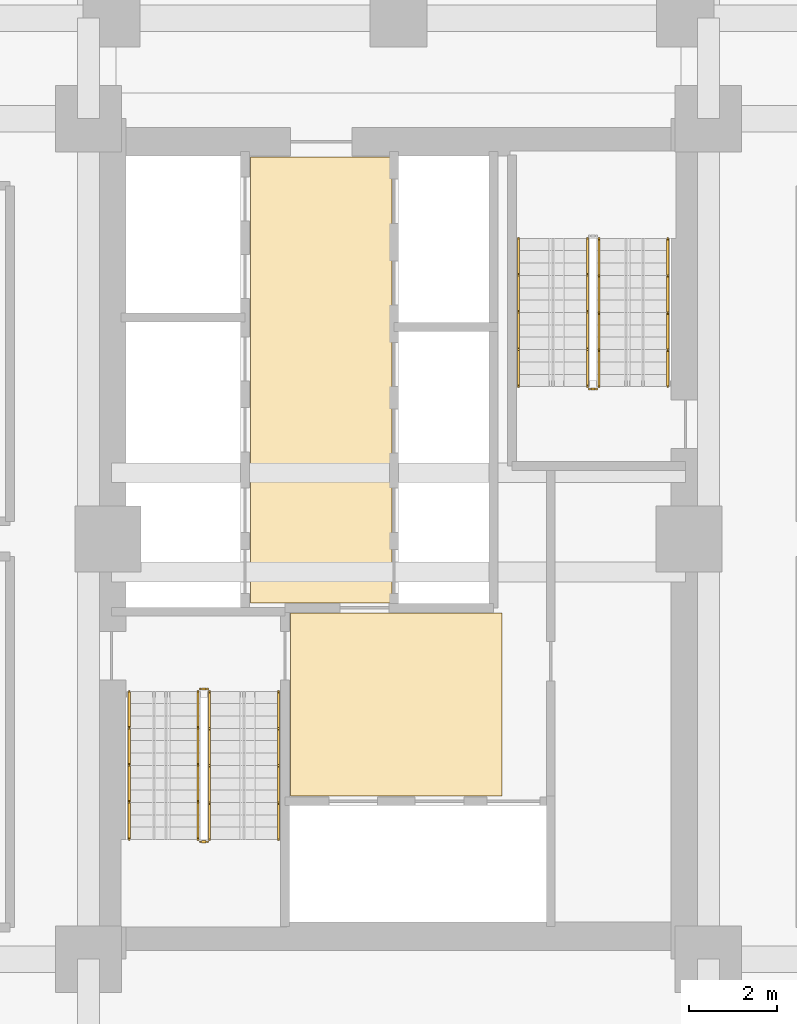
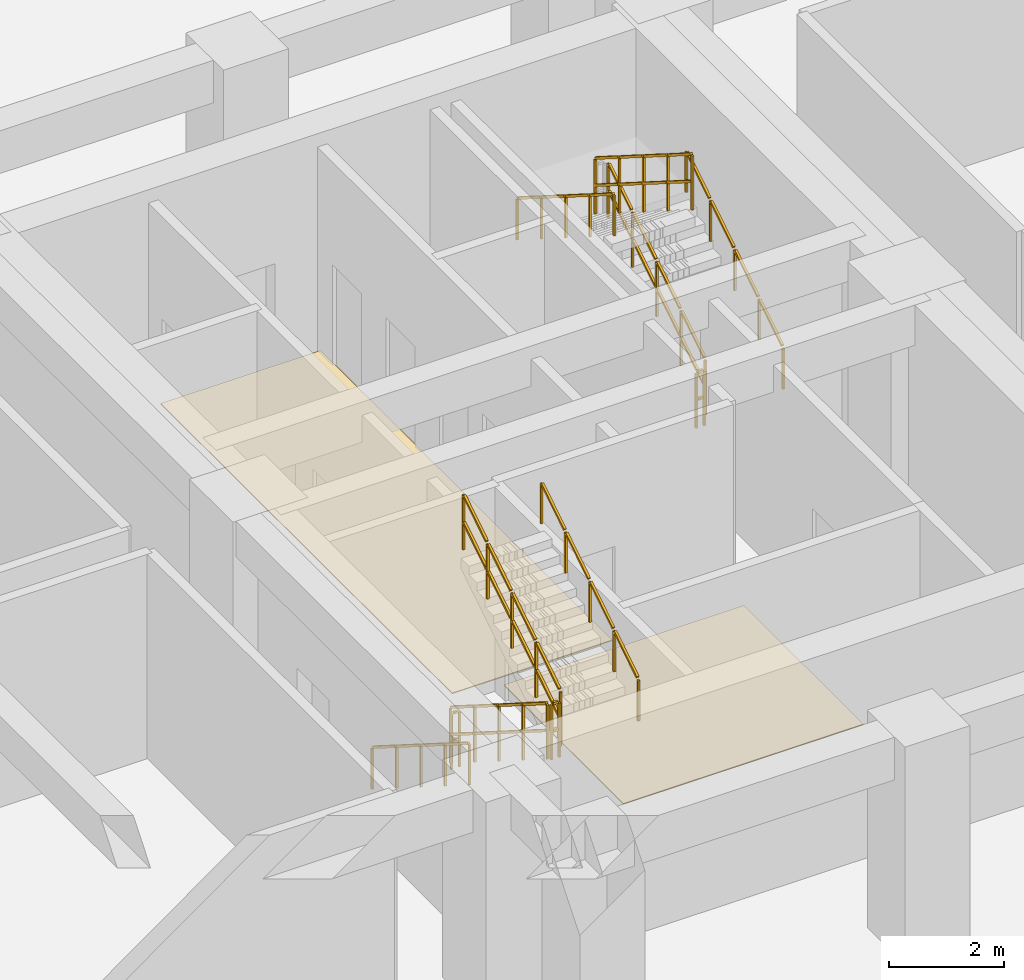
# One storey, part 9 of 12: 11 railings, 2 coverings.
"""IFC4 building model written with IfcOpenShell, lengths in metres."""

from ifc_helpers import new_model, si_unit, direction, frame, origin, origin_2d, place, context, subcontext, project, spatial, polyline, rectangle, outline, extrude, material, layer, layer_set, type_object, element, save


model = new_model("IFC4")

# Units and contexts
model_context = context("Model", 3, precision=1e-05, world=origin(), true_north=direction((0.0, 1.0)))
body_context = subcontext(model_context, "Body", "Model", "MODEL_VIEW")
ifc_project = project(units=[si_unit("LENGTHUNIT", "METRE"), si_unit("AREAUNIT", "SQUARE_METRE"), si_unit("VOLUMEUNIT", "CUBIC_METRE"), si_unit("PLANEANGLEUNIT", "RADIAN"), si_unit("MASSUNIT", "GRAM", prefix="KILO")], contexts=[model_context])

# Site, building, storey
site_placement = place(None, origin())
site = spatial("IfcSite", under=ifc_project, at=site_placement, CompositionType="ELEMENT")
building_placement = place(site_placement, origin())
building = spatial("IfcBuilding", under=site, at=building_placement, Name="Saelheon Loggia Tower", CompositionType="ELEMENT")
storey_placement = place(building_placement, frame((0.0, 0.0, -4.60009765625)))
storey = spatial("IfcBuildingStorey", under=building, at=storey_placement, Name="B1", CompositionType="ELEMENT", Elevation=-4.60009765625)

# Coverings
ifc_material_1 = material(Name="Vitrified Porcelain Floor Tile", Category="ceramic")
ifc_layer = layer(ifc_material_1, 0.02001953125)
ifc_layer_set = layer_set([ifc_layer], Name="Vitrified Porcelain Floor Tile")
covering_type = type_object("IfcCoveringType", Name="Cov_Floor_Porcelain", PredefinedType="FLOORING", material=ifc_layer_set)
covering_1_placement = place(storey_placement, origin())
element("IfcCovering", 1, at=covering_1_placement, inside=storey, type_object=covering_type, Name="B1 Corridor Porcelain Flooring", PredefinedType="FLOORING", context=body_context, shape_type="SweptSolid", body=[
    extrude(outline(polyline([(35.550048828125, 21.179931640625), (40.35009765625, 21.179931640625), (40.35009765625, 25.320068359375), (35.550048828125, 25.320068359375), (35.550048828125, 21.179931640625)])), origin(), (0.0, 0.0, 1.0), 0.02001953125),
])
covering_2_placement = place(storey_placement, origin())
element("IfcCovering", 2, at=covering_2_placement, inside=storey, type_object=covering_type, Name="B1 Corridor Porcelain Flooring", PredefinedType="FLOORING", context=body_context, shape_type="SweptSolid", body=[
    extrude(outline(polyline([(34.64990234375, 25.550048828125), (37.85009765625, 25.550048828125), (37.85009765625, 35.64990234375), (34.64990234375, 35.64990234375), (34.64990234375, 25.550048828125)])), origin(), (0.0, 0.0, 1.0), 0.02001953125),
])

# Railings
ifc_material_2 = material(Name="Galvanised Steel S275 Stairwell Guardrail", Category="steel")
railing_type_1 = type_object("IfcRailingType", Name="Guard_StairWell_RL_STG", PredefinedType="GUARDRAIL", material=ifc_material_2)
railing_1_placement = place(storey_placement, frame((33.4599609375, 23.550048828125, 0.177001953125)))
element("IfcRailing", 3, at=railing_1_placement, inside=storey, type_object=railing_type_1, Name="B1 ST1 stair guard 1", PredefinedType="GUARDRAIL", context=body_context, shape_type="SweptSolid", body=[
    extrude(rectangle(XDim=0.048095703125, YDim=0.048095703125, at=origin_2d()), frame((0.0, -0.028076171875, 1.193603515625), z_axis=(0.0, -0.845389635667, 0.534150132366), x_axis=(1.0, 0.0, 0.0)), (0.0, 0.0, 1.0), 0.92724609375),
    extrude(rectangle(XDim=0.048095703125, YDim=0.048095703125, at=origin_2d()), frame((0.0, -0.028076171875, 0.61767578125), z_axis=(0.0, -0.845389635667, 0.534150132366), x_axis=(1.0, 0.0, 0.0)), (0.0, 0.0, 1.0), 0.92724609375),
    extrude(rectangle(XDim=0.048095703125, YDim=0.048095703125, at=origin_2d()), frame((0.0, -0.8681640625, 1.724365234375), z_axis=(0.0, -0.845389635667, 0.534150132366), x_axis=(1.0, 0.0, 0.0)), (0.0, 0.0, 1.0), 0.92724609375),
    extrude(rectangle(XDim=0.048095703125, YDim=0.048095703125, at=origin_2d()), frame((0.0, -0.8681640625, 1.1484375), z_axis=(0.0, -0.845389635667, 0.534150132366), x_axis=(1.0, 0.0, 0.0)), (0.0, 0.0, 1.0), 0.92724609375),
    extrude(rectangle(XDim=0.048095703125, YDim=0.048095703125, at=origin_2d()), frame((0.0, -1.708251953125, 2.255126953125), z_axis=(0.0, -0.845389635667, 0.534150132366), x_axis=(1.0, 0.0, 0.0)), (0.0, 0.0, 1.0), 0.92724609375),
    extrude(rectangle(XDim=0.048095703125, YDim=0.048095703125, at=origin_2d()), frame((0.0, -1.708251953125, 1.67919921875), z_axis=(0.0, -0.845389635667, 0.534150132366), x_axis=(1.0, 0.0, 0.0)), (0.0, 0.0, 1.0), 0.92724609375),
    extrude(rectangle(XDim=0.048095703125, YDim=0.048095703125, at=origin_2d()), frame((0.0, -2.548095703125, 2.785888671875), z_axis=(0.0, -0.845389635667, 0.534150132366), x_axis=(1.0, 0.0, 0.0)), (0.0, 0.0, 1.0), 0.92724609375),
    extrude(rectangle(XDim=0.048095703125, YDim=0.048095703125, at=origin_2d()), frame((0.0, -2.548095703125, 2.2099609375), z_axis=(0.0, -0.845389635667, 0.534150132366), x_axis=(1.0, 0.0, 0.0)), (0.0, 0.0, 1.0), 0.92724609375),
    extrude(rectangle(XDim=0.0419921875, YDim=0.0419921875, at=origin_2d()), origin(), (0.0, 0.0, 1.0), 1.14794921875),
    extrude(rectangle(XDim=0.0419921875, YDim=0.0419921875, at=origin_2d()), frame((0.0, -0.840087890625, 0.53076171875)), (0.0, 0.0, 1.0), 1.14794921875),
    extrude(rectangle(XDim=0.0419921875, YDim=0.0419921875, at=origin_2d()), frame((0.0, -1.68017578125, 1.0615234375)), (0.0, 0.0, 1.0), 1.14794921875),
    extrude(rectangle(XDim=0.0419921875, YDim=0.0419921875, at=origin_2d()), frame((0.0, -2.52001953125, 1.59228515625)), (0.0, 0.0, 1.0), 1.14794921875),
    extrude(rectangle(XDim=0.0419921875, YDim=0.0419921875, at=origin_2d()), frame((0.0, -3.360107421875, 2.123046875)), (0.0, 0.0, 1.0), 1.14794921875),
])
railing_2_placement = place(storey_placement, frame((33.510009765625, 20.139892578125, 2.300048828125)))
element("IfcRailing", 4, at=railing_2_placement, inside=storey, type_object=railing_type_1, Name="B1 ST1 stair guard 2", PredefinedType="GUARDRAIL", context=body_context, shape_type="SweptSolid", body=[
    extrude(rectangle(XDim=0.048095703125, YDim=0.048095703125, at=origin_2d()), frame((0.033203125, 0.0, 1.17578125), z_axis=(1.0, 0.0, 0.0), x_axis=(0.0, 1.0, 0.0)), (0.0, 0.0, 1.0), 0.093505859375),
    extrude(rectangle(XDim=0.048095703125, YDim=0.048095703125, at=origin_2d()), frame((0.033203125, 0.0, 0.60009765625), z_axis=(1.0, 0.0, 0.0), x_axis=(0.0, 1.0, 0.0)), (0.0, 0.0, 1.0), 0.093505859375),
    extrude(rectangle(XDim=0.0419921875, YDim=0.0419921875, at=origin_2d()), origin(), (0.0, 0.0, 1.0), 1.14794921875),
    extrude(rectangle(XDim=0.0419921875, YDim=0.0419921875, at=origin_2d()), frame((0.159912109375, 0.0, 0.0)), (0.0, 0.0, 1.0), 1.14794921875),
])
railing_3_placement = place(storey_placement, frame((33.719970703125, 20.18994140625, 2.47705078125)))
element("IfcRailing", 5, at=railing_3_placement, inside=storey, type_object=railing_type_1, Name="B1 ST1 stair guard 3", PredefinedType="GUARDRAIL", context=body_context, shape_type="SweptSolid", body=[
    extrude(rectangle(XDim=0.048095703125, YDim=0.048095703125, at=origin_2d()), frame((0.0, 0.028076171875, 1.193603515625), z_axis=(0.0, 0.845389635667, 0.534150132366), x_axis=(-1.0, 0.0, 0.0)), (0.0, 0.0, 1.0), 0.92724609375),
    extrude(rectangle(XDim=0.048095703125, YDim=0.048095703125, at=origin_2d()), frame((0.0, 0.028076171875, 0.61767578125), z_axis=(0.0, 0.845389635667, 0.534150132366), x_axis=(-1.0, 0.0, 0.0)), (0.0, 0.0, 1.0), 0.92724609375),
    extrude(rectangle(XDim=0.048095703125, YDim=0.048095703125, at=origin_2d()), frame((0.0, 0.8681640625, 1.724365234375), z_axis=(0.0, 0.845389635667, 0.534150132366), x_axis=(-1.0, 0.0, 0.0)), (0.0, 0.0, 1.0), 0.92724609375),
    extrude(rectangle(XDim=0.048095703125, YDim=0.048095703125, at=origin_2d()), frame((0.0, 0.8681640625, 1.1484375), z_axis=(0.0, 0.845389635667, 0.534150132366), x_axis=(-1.0, 0.0, 0.0)), (0.0, 0.0, 1.0), 0.92724609375),
    extrude(rectangle(XDim=0.048095703125, YDim=0.048095703125, at=origin_2d()), frame((0.0, 1.708251953125, 2.255126953125), z_axis=(0.0, 0.845389635667, 0.534150132366), x_axis=(-1.0, 0.0, 0.0)), (0.0, 0.0, 1.0), 0.92724609375),
    extrude(rectangle(XDim=0.048095703125, YDim=0.048095703125, at=origin_2d()), frame((0.0, 1.708251953125, 1.67919921875), z_axis=(0.0, 0.845389635667, 0.534150132366), x_axis=(-1.0, 0.0, 0.0)), (0.0, 0.0, 1.0), 0.92724609375),
    extrude(rectangle(XDim=0.048095703125, YDim=0.048095703125, at=origin_2d()), frame((0.0, 2.548095703125, 2.785888671875), z_axis=(0.0, 0.845389635667, 0.534150132366), x_axis=(-1.0, 0.0, 0.0)), (0.0, 0.0, 1.0), 0.92724609375),
    extrude(rectangle(XDim=0.048095703125, YDim=0.048095703125, at=origin_2d()), frame((0.0, 2.548095703125, 2.2099609375), z_axis=(0.0, 0.845389635667, 0.534150132366), x_axis=(-1.0, 0.0, 0.0)), (0.0, 0.0, 1.0), 0.92724609375),
    extrude(rectangle(XDim=0.0419921875, YDim=0.0419921875, at=origin_2d()), origin(), (0.0, 0.0, 1.0), 1.14794921875),
    extrude(rectangle(XDim=0.0419921875, YDim=0.0419921875, at=origin_2d()), frame((0.0, 0.840087890625, 0.53076171875)), (0.0, 0.0, 1.0), 1.14794921875),
    extrude(rectangle(XDim=0.0419921875, YDim=0.0419921875, at=origin_2d()), frame((0.0, 1.68017578125, 1.0615234375)), (0.0, 0.0, 1.0), 1.14794921875),
    extrude(rectangle(XDim=0.0419921875, YDim=0.0419921875, at=origin_2d()), frame((0.0, 2.52001953125, 1.59228515625)), (0.0, 0.0, 1.0), 1.14794921875),
    extrude(rectangle(XDim=0.0419921875, YDim=0.0419921875, at=origin_2d()), frame((0.0, 3.360107421875, 2.123046875)), (0.0, 0.0, 1.0), 1.14794921875),
])
railing_4_placement = place(storey_placement, frame((33.510009765625, 23.60009765625, 0.0)))
element("IfcRailing", 6, at=railing_4_placement, inside=storey, type_object=railing_type_1, Name="B1 ST1 stair guard 4", PredefinedType="GUARDRAIL", context=body_context, shape_type="SweptSolid", body=[
    extrude(rectangle(XDim=0.048095703125, YDim=0.048095703125, at=origin_2d()), frame((0.033203125, 0.0, 1.17578125), z_axis=(1.0, 0.0, 0.0), x_axis=(0.0, 1.0, 0.0)), (0.0, 0.0, 1.0), 0.093505859375),
    extrude(rectangle(XDim=0.048095703125, YDim=0.048095703125, at=origin_2d()), frame((0.033203125, 0.0, 0.60009765625), z_axis=(1.0, 0.0, 0.0), x_axis=(0.0, 1.0, 0.0)), (0.0, 0.0, 1.0), 0.093505859375),
    extrude(rectangle(XDim=0.0419921875, YDim=0.0419921875, at=origin_2d()), origin(), (0.0, 0.0, 1.0), 1.14794921875),
    extrude(rectangle(XDim=0.0419921875, YDim=0.0419921875, at=origin_2d()), frame((0.159912109375, 0.0, 0.0)), (0.0, 0.0, 1.0), 1.14794921875),
])
railing_5_placement = place(storey_placement, frame((42.5400390625, 30.449951171875, 0.177001953125)))
element("IfcRailing", 7, at=railing_5_placement, inside=storey, type_object=railing_type_1, Name="B1 ST2 stair guard 1", PredefinedType="GUARDRAIL", context=body_context, shape_type="SweptSolid", body=[
    extrude(rectangle(XDim=0.048095703125, YDim=0.048095703125, at=origin_2d()), frame((0.0, 0.028076171875, 1.193603515625), z_axis=(0.0, 0.845389635667, 0.534150132366), x_axis=(-1.0, 0.0, 0.0)), (0.0, 0.0, 1.0), 0.92724609375),
    extrude(rectangle(XDim=0.048095703125, YDim=0.048095703125, at=origin_2d()), frame((0.0, 0.028076171875, 0.61767578125), z_axis=(0.0, 0.845389635667, 0.534150132366), x_axis=(-1.0, 0.0, 0.0)), (0.0, 0.0, 1.0), 0.92724609375),
    extrude(rectangle(XDim=0.048095703125, YDim=0.048095703125, at=origin_2d()), frame((0.0, 0.8681640625, 1.724365234375), z_axis=(0.0, 0.845389635667, 0.534150132366), x_axis=(-1.0, 0.0, 0.0)), (0.0, 0.0, 1.0), 0.92724609375),
    extrude(rectangle(XDim=0.048095703125, YDim=0.048095703125, at=origin_2d()), frame((0.0, 0.8681640625, 1.1484375), z_axis=(0.0, 0.845389635667, 0.534150132366), x_axis=(-1.0, 0.0, 0.0)), (0.0, 0.0, 1.0), 0.92724609375),
    extrude(rectangle(XDim=0.048095703125, YDim=0.048095703125, at=origin_2d()), frame((0.0, 1.708251953125, 2.255126953125), z_axis=(0.0, 0.845389635667, 0.534150132366), x_axis=(-1.0, 0.0, 0.0)), (0.0, 0.0, 1.0), 0.92724609375),
    extrude(rectangle(XDim=0.048095703125, YDim=0.048095703125, at=origin_2d()), frame((0.0, 1.708251953125, 1.67919921875), z_axis=(0.0, 0.845389635667, 0.534150132366), x_axis=(-1.0, 0.0, 0.0)), (0.0, 0.0, 1.0), 0.92724609375),
    extrude(rectangle(XDim=0.048095703125, YDim=0.048095703125, at=origin_2d()), frame((0.0, 2.548095703125, 2.785888671875), z_axis=(0.0, 0.845389635667, 0.534150132366), x_axis=(-1.0, 0.0, 0.0)), (0.0, 0.0, 1.0), 0.92724609375),
    extrude(rectangle(XDim=0.048095703125, YDim=0.048095703125, at=origin_2d()), frame((0.0, 2.548095703125, 2.2099609375), z_axis=(0.0, 0.845389635667, 0.534150132366), x_axis=(-1.0, 0.0, 0.0)), (0.0, 0.0, 1.0), 0.92724609375),
    extrude(rectangle(XDim=0.0419921875, YDim=0.0419921875, at=origin_2d()), origin(), (0.0, 0.0, 1.0), 1.14794921875),
    extrude(rectangle(XDim=0.0419921875, YDim=0.0419921875, at=origin_2d()), frame((0.0, 0.840087890625, 0.53076171875)), (0.0, 0.0, 1.0), 1.14794921875),
    extrude(rectangle(XDim=0.0419921875, YDim=0.0419921875, at=origin_2d()), frame((0.0, 1.68017578125, 1.0615234375)), (0.0, 0.0, 1.0), 1.14794921875),
    extrude(rectangle(XDim=0.0419921875, YDim=0.0419921875, at=origin_2d()), frame((0.0, 2.52001953125, 1.59228515625)), (0.0, 0.0, 1.0), 1.14794921875),
    extrude(rectangle(XDim=0.0419921875, YDim=0.0419921875, at=origin_2d()), frame((0.0, 3.360107421875, 2.123046875)), (0.0, 0.0, 1.0), 1.14794921875),
])
railing_6_placement = place(storey_placement, frame((42.280029296875, 33.81005859375, 2.47705078125)))
element("IfcRailing", 8, at=railing_6_placement, inside=storey, type_object=railing_type_1, Name="B1 ST2 stair guard 3", PredefinedType="GUARDRAIL", context=body_context, shape_type="SweptSolid", body=[
    extrude(rectangle(XDim=0.048095703125, YDim=0.048095703125, at=origin_2d()), frame((0.0, -0.028076171875, 1.193603515625), z_axis=(0.0, -0.845389635667, 0.534150132366), x_axis=(1.0, 0.0, 0.0)), (0.0, 0.0, 1.0), 0.92724609375),
    extrude(rectangle(XDim=0.048095703125, YDim=0.048095703125, at=origin_2d()), frame((0.0, -0.028076171875, 0.61767578125), z_axis=(0.0, -0.845389635667, 0.534150132366), x_axis=(1.0, 0.0, 0.0)), (0.0, 0.0, 1.0), 0.92724609375),
    extrude(rectangle(XDim=0.048095703125, YDim=0.048095703125, at=origin_2d()), frame((0.0, -0.8681640625, 1.724365234375), z_axis=(0.0, -0.845389635667, 0.534150132366), x_axis=(1.0, 0.0, 0.0)), (0.0, 0.0, 1.0), 0.92724609375),
    extrude(rectangle(XDim=0.048095703125, YDim=0.048095703125, at=origin_2d()), frame((0.0, -0.8681640625, 1.1484375), z_axis=(0.0, -0.845389635667, 0.534150132366), x_axis=(1.0, 0.0, 0.0)), (0.0, 0.0, 1.0), 0.92724609375),
    extrude(rectangle(XDim=0.048095703125, YDim=0.048095703125, at=origin_2d()), frame((0.0, -1.708251953125, 2.255126953125), z_axis=(0.0, -0.845389635667, 0.534150132366), x_axis=(1.0, 0.0, 0.0)), (0.0, 0.0, 1.0), 0.92724609375),
    extrude(rectangle(XDim=0.048095703125, YDim=0.048095703125, at=origin_2d()), frame((0.0, -1.708251953125, 1.67919921875), z_axis=(0.0, -0.845389635667, 0.534150132366), x_axis=(1.0, 0.0, 0.0)), (0.0, 0.0, 1.0), 0.92724609375),
    extrude(rectangle(XDim=0.048095703125, YDim=0.048095703125, at=origin_2d()), frame((0.0, -2.548095703125, 2.785888671875), z_axis=(0.0, -0.845389635667, 0.534150132366), x_axis=(1.0, 0.0, 0.0)), (0.0, 0.0, 1.0), 0.92724609375),
    extrude(rectangle(XDim=0.048095703125, YDim=0.048095703125, at=origin_2d()), frame((0.0, -2.548095703125, 2.2099609375), z_axis=(0.0, -0.845389635667, 0.534150132366), x_axis=(1.0, 0.0, 0.0)), (0.0, 0.0, 1.0), 0.92724609375),
    extrude(rectangle(XDim=0.0419921875, YDim=0.0419921875, at=origin_2d()), origin(), (0.0, 0.0, 1.0), 1.14794921875),
    extrude(rectangle(XDim=0.0419921875, YDim=0.0419921875, at=origin_2d()), frame((0.0, -0.840087890625, 0.53076171875)), (0.0, 0.0, 1.0), 1.14794921875),
    extrude(rectangle(XDim=0.0419921875, YDim=0.0419921875, at=origin_2d()), frame((0.0, -1.68017578125, 1.0615234375)), (0.0, 0.0, 1.0), 1.14794921875),
    extrude(rectangle(XDim=0.0419921875, YDim=0.0419921875, at=origin_2d()), frame((0.0, -2.52001953125, 1.59228515625)), (0.0, 0.0, 1.0), 1.14794921875),
    extrude(rectangle(XDim=0.0419921875, YDim=0.0419921875, at=origin_2d()), frame((0.0, -3.360107421875, 2.123046875)), (0.0, 0.0, 1.0), 1.14794921875),
])
railing_7_placement = place(storey_placement, frame((42.489990234375, 30.39990234375, 0.0)))
element("IfcRailing", 9, at=railing_7_placement, inside=storey, type_object=railing_type_1, Name="B1 ST2 stair guard 4", PredefinedType="GUARDRAIL", context=body_context, shape_type="SweptSolid", body=[
    extrude(rectangle(XDim=0.048095703125, YDim=0.048095703125, at=origin_2d()), frame((-0.033203125, 0.0, 1.17578125), z_axis=(-1.0, 0.0, 0.0), x_axis=(0.0, -1.0, 0.0)), (0.0, 0.0, 1.0), 0.093505859375),
    extrude(rectangle(XDim=0.048095703125, YDim=0.048095703125, at=origin_2d()), frame((-0.033203125, 0.0, 0.60009765625), z_axis=(-1.0, 0.0, 0.0), x_axis=(0.0, -1.0, 0.0)), (0.0, 0.0, 1.0), 0.093505859375),
    extrude(rectangle(XDim=0.0419921875, YDim=0.0419921875, at=origin_2d()), origin(), (0.0, 0.0, 1.0), 1.14794921875),
    extrude(rectangle(XDim=0.0419921875, YDim=0.0419921875, at=origin_2d()), frame((-0.159912109375, 0.0, 0.0)), (0.0, 0.0, 1.0), 1.14794921875),
])
ifc_material_3 = material(Name="Stainless Steel 304 Tubular Handrail", Category="steel")
railing_type_2 = type_object("IfcRailingType", Name="Handrail_Stair_RL_HR1", PredefinedType="HANDRAIL", material=ifc_material_3)
railing_8_placement = place(storey_placement, frame((31.89990234375, 23.550048828125, 0.177001953125)))
element("IfcRailing", 10, at=railing_8_placement, inside=storey, type_object=railing_type_2, Name="B1 ST1 stair handrail 1", PredefinedType="HANDRAIL", context=body_context, shape_type="SweptSolid", body=[
    extrude(rectangle(XDim=0.048095703125, YDim=0.048095703125, at=origin_2d()), frame((0.0, -0.028076171875, 0.8935546875), z_axis=(0.0, -0.845389635667, 0.534150132366), x_axis=(1.0, 0.0, 0.0)), (0.0, 0.0, 1.0), 0.92724609375),
    extrude(rectangle(XDim=0.048095703125, YDim=0.048095703125, at=origin_2d()), frame((0.0, -0.8681640625, 1.42431640625), z_axis=(0.0, -0.845389635667, 0.534150132366), x_axis=(1.0, 0.0, 0.0)), (0.0, 0.0, 1.0), 0.92724609375),
    extrude(rectangle(XDim=0.048095703125, YDim=0.048095703125, at=origin_2d()), frame((0.0, -1.708251953125, 1.955078125), z_axis=(0.0, -0.845389635667, 0.534150132366), x_axis=(1.0, 0.0, 0.0)), (0.0, 0.0, 1.0), 0.92724609375),
    extrude(rectangle(XDim=0.048095703125, YDim=0.048095703125, at=origin_2d()), frame((0.0, -2.548095703125, 2.48583984375), z_axis=(0.0, -0.845389635667, 0.534150132366), x_axis=(1.0, 0.0, 0.0)), (0.0, 0.0, 1.0), 0.92724609375),
    extrude(rectangle(XDim=0.0419921875, YDim=0.0419921875, at=origin_2d()), origin(), (0.0, 0.0, 1.0), 0.847900390625),
    extrude(rectangle(XDim=0.0419921875, YDim=0.0419921875, at=origin_2d()), frame((0.0, -0.840087890625, 0.53076171875)), (0.0, 0.0, 1.0), 0.847900390625),
    extrude(rectangle(XDim=0.0419921875, YDim=0.0419921875, at=origin_2d()), frame((0.0, -1.68017578125, 1.0615234375)), (0.0, 0.0, 1.0), 0.847900390625),
    extrude(rectangle(XDim=0.0419921875, YDim=0.0419921875, at=origin_2d()), frame((0.0, -2.52001953125, 1.59228515625)), (0.0, 0.0, 1.0), 0.847900390625),
    extrude(rectangle(XDim=0.0419921875, YDim=0.0419921875, at=origin_2d()), frame((0.0, -3.360107421875, 2.123046875)), (0.0, 0.0, 1.0), 0.847900390625),
])
for number, where, name in (
    (11, (35.280029296875, 20.18994140625, 2.47705078125), "B1 ST1 stair handrail 2"),
    (12, (44.10009765625, 30.449951171875, 0.177001953125), "B1 ST2 stair handrail 1"),
):
    element("IfcRailing", number, at=place(storey_placement, frame(where)), inside=storey, type_object=railing_type_2, Name=name, PredefinedType="HANDRAIL", context=body_context, shape_type="SweptSolid", body=[
        extrude(rectangle(XDim=0.048095703125, YDim=0.048095703125, at=origin_2d()), frame((0.0, 0.028076171875, 0.8935546875), z_axis=(0.0, 0.845389635667, 0.534150132366), x_axis=(-1.0, 0.0, 0.0)), (0.0, 0.0, 1.0), 0.92724609375),
        extrude(rectangle(XDim=0.048095703125, YDim=0.048095703125, at=origin_2d()), frame((0.0, 0.8681640625, 1.42431640625), z_axis=(0.0, 0.845389635667, 0.534150132366), x_axis=(-1.0, 0.0, 0.0)), (0.0, 0.0, 1.0), 0.92724609375),
        extrude(rectangle(XDim=0.048095703125, YDim=0.048095703125, at=origin_2d()), frame((0.0, 1.708251953125, 1.955078125), z_axis=(0.0, 0.845389635667, 0.534150132366), x_axis=(-1.0, 0.0, 0.0)), (0.0, 0.0, 1.0), 0.92724609375),
        extrude(rectangle(XDim=0.048095703125, YDim=0.048095703125, at=origin_2d()), frame((0.0, 2.548095703125, 2.48583984375), z_axis=(0.0, 0.845389635667, 0.534150132366), x_axis=(-1.0, 0.0, 0.0)), (0.0, 0.0, 1.0), 0.92724609375),
        extrude(rectangle(XDim=0.0419921875, YDim=0.0419921875, at=origin_2d()), origin(), (0.0, 0.0, 1.0), 0.847900390625),
        extrude(rectangle(XDim=0.0419921875, YDim=0.0419921875, at=origin_2d()), frame((0.0, 0.840087890625, 0.53076171875)), (0.0, 0.0, 1.0), 0.847900390625),
        extrude(rectangle(XDim=0.0419921875, YDim=0.0419921875, at=origin_2d()), frame((0.0, 1.68017578125, 1.0615234375)), (0.0, 0.0, 1.0), 0.847900390625),
        extrude(rectangle(XDim=0.0419921875, YDim=0.0419921875, at=origin_2d()), frame((0.0, 2.52001953125, 1.59228515625)), (0.0, 0.0, 1.0), 0.847900390625),
        extrude(rectangle(XDim=0.0419921875, YDim=0.0419921875, at=origin_2d()), frame((0.0, 3.360107421875, 2.123046875)), (0.0, 0.0, 1.0), 0.847900390625),
    ])
railing_9_placement = place(storey_placement, frame((40.719970703125, 33.81005859375, 2.47705078125)))
element("IfcRailing", 13, at=railing_9_placement, inside=storey, type_object=railing_type_2, Name="B1 ST2 stair handrail 2", PredefinedType="HANDRAIL", context=body_context, shape_type="SweptSolid", body=[
    extrude(rectangle(XDim=0.048095703125, YDim=0.048095703125, at=origin_2d()), frame((0.0, -0.028076171875, 0.8935546875), z_axis=(0.0, -0.845389635667, 0.534150132366), x_axis=(1.0, 0.0, 0.0)), (0.0, 0.0, 1.0), 0.92724609375),
    extrude(rectangle(XDim=0.048095703125, YDim=0.048095703125, at=origin_2d()), frame((0.0, -0.8681640625, 1.42431640625), z_axis=(0.0, -0.845389635667, 0.534150132366), x_axis=(1.0, 0.0, 0.0)), (0.0, 0.0, 1.0), 0.92724609375),
    extrude(rectangle(XDim=0.048095703125, YDim=0.048095703125, at=origin_2d()), frame((0.0, -1.708251953125, 1.955078125), z_axis=(0.0, -0.845389635667, 0.534150132366), x_axis=(1.0, 0.0, 0.0)), (0.0, 0.0, 1.0), 0.92724609375),
    extrude(rectangle(XDim=0.048095703125, YDim=0.048095703125, at=origin_2d()), frame((0.0, -2.548095703125, 2.48583984375), z_axis=(0.0, -0.845389635667, 0.534150132366), x_axis=(1.0, 0.0, 0.0)), (0.0, 0.0, 1.0), 0.92724609375),
    extrude(rectangle(XDim=0.0419921875, YDim=0.0419921875, at=origin_2d()), origin(), (0.0, 0.0, 1.0), 0.847900390625),
    extrude(rectangle(XDim=0.0419921875, YDim=0.0419921875, at=origin_2d()), frame((0.0, -0.840087890625, 0.53076171875)), (0.0, 0.0, 1.0), 0.847900390625),
    extrude(rectangle(XDim=0.0419921875, YDim=0.0419921875, at=origin_2d()), frame((0.0, -1.68017578125, 1.0615234375)), (0.0, 0.0, 1.0), 0.847900390625),
    extrude(rectangle(XDim=0.0419921875, YDim=0.0419921875, at=origin_2d()), frame((0.0, -2.52001953125, 1.59228515625)), (0.0, 0.0, 1.0), 0.847900390625),
    extrude(rectangle(XDim=0.0419921875, YDim=0.0419921875, at=origin_2d()), frame((0.0, -3.360107421875, 2.123046875)), (0.0, 0.0, 1.0), 0.847900390625),
])

save(model, "model.ifc")
